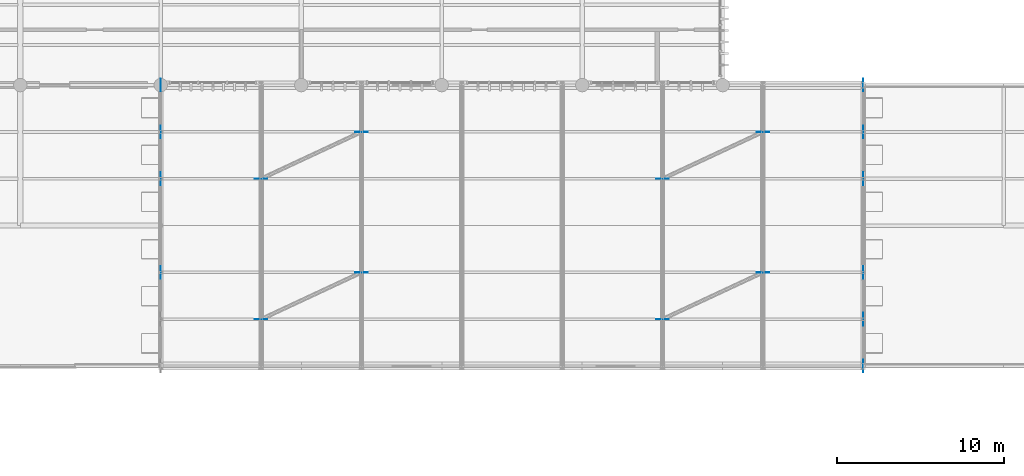
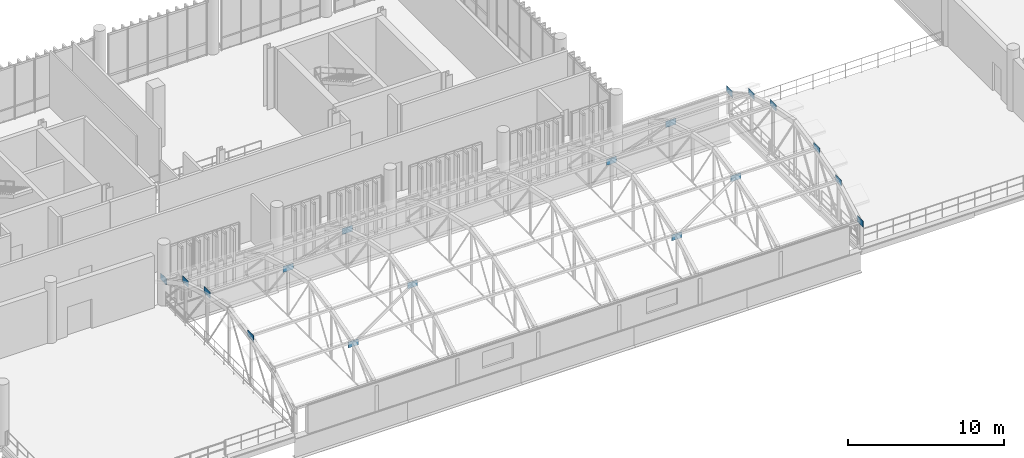
# One storey, part 90 of 109: 18 plates.
"""IFC4 building model written with IfcOpenShell, lengths in metres."""

from ifc_helpers import new_model, si_unit, direction, frame, origin_with_axes, origin_2d_with_axis, place, context, subcontext, project, spatial, rectangle, extrude, material, layer, layer_set, type_object, element, save


model = new_model("IFC4")

# Units and contexts
model_context = context("Model", 3, precision=1e-05, world=origin_with_axes(), true_north=direction((0.0, 1.0)))
body_context = subcontext(model_context, "Body", "Model", "MODEL_VIEW")
ifc_project = project(units=[si_unit("LENGTHUNIT", "METRE"), si_unit("AREAUNIT", "SQUARE_METRE"), si_unit("VOLUMEUNIT", "CUBIC_METRE"), si_unit("PLANEANGLEUNIT", "RADIAN"), si_unit("MASSUNIT", "GRAM", prefix="KILO"), si_unit("THERMODYNAMICTEMPERATUREUNIT", "KELVIN")], contexts=[model_context])

# Site, building, storey
site_placement = place(None, origin_with_axes())
site = spatial("IfcSite", under=ifc_project, at=site_placement, CompositionType="ELEMENT")
building_placement = place(site_placement, origin_with_axes())
building = spatial("IfcBuilding", under=site, at=building_placement, Name="Montbau Bow Law Courts", CompositionType="ELEMENT")
storey_placement = place(building_placement, frame((0.0, 0.0, 10.8), z_axis=(0.0, 0.0, 1.0), x_axis=(1.0, 0.0, 0.0)))
storey = spatial("IfcBuildingStorey", under=building, at=storey_placement, Name="L02", CompositionType="ELEMENT", Elevation=10.8)

# Plates
ifc_material = material(Name="Steel CSA G40.21 Grade 350W (350 MPa)", Category="steel")
ifc_layer = layer(ifc_material, 0.025, Name="Gusset Plate", Category="steel")
ifc_layer_set = layer_set([ifc_layer], Name="Steel CSA G40.21 Grade 350W (350 MPa)")
plate_type = type_object("IfcPlateType", Name="PL-GUS-02", PredefinedType="USERDEFINED", material=ifc_layer_set)
for number, where, z_axis, x_axis, name in (
    (1, (63.6, 27.8, 14.752), (0.0, 0.0, 1.0), (1.0, 0.0, 0.0), "ECP-V4-03:plt_0235"),
    (2, (63.6, 33.4, 14.752), (0.0, 0.0, 1.0), (1.0, 0.0, 0.0), "ECP-V4-05:plt_0237"),
    (3, (63.6, 36.2, 13.923), (0.0, 0.0, 1.0), (1.0, 0.0, 0.0), "ECP-V4-06:plt_0238"),
    (4, (63.6, 39.0, 12.418), (0.0, 0.0, 1.0), (1.0, 0.0, 0.0), "ECP-V4-07:plt_0239"),
):
    element("IfcPlate", number, at=place(None, frame(where, z_axis=z_axis, x_axis=x_axis)), inside=storey, type_object=plate_type, Name=name, ObjectType="GUSSET_PLATE", PredefinedType="USERDEFINED", context=body_context, shape_type="SweptSolid", body=[
        extrude(rectangle(XDim=0.025, YDim=0.76, at=origin_2d_with_axis()), origin_with_axes(), (0.0, 0.0, 1.0), 0.48),
    ])
for number, where, z_axis, x_axis, name in (
    (5, (69.6, 25.0, 13.765), (0.0, 0.0, 1.0), (1.0, 0.0, 0.0), "BGP-L02-188:plt_0240"),
    (6, (75.6, 27.8, 14.594), (0.0, 0.0, 1.0), (1.0, 0.0, 0.0), "BGP-L02-189:plt_0241"),
    (7, (69.6, 33.4, 14.594), (0.0, 0.0, 1.0), (1.0, 0.0, 0.0), "BGP-L02-190:plt_0242"),
    (8, (75.6, 36.2, 13.765), (0.0, 0.0, 1.0), (1.0, 0.0, 0.0), "BGP-L02-191:plt_0243"),
    (9, (93.6, 25.0, 13.765), (0.0, 0.0, 1.0), (1.0, 0.0, 0.0), "BGP-L02-192:plt_0244"),
    (10, (99.6, 27.8, 14.594), (0.0, 0.0, 1.0), (1.0, 0.0, 0.0), "BGP-L02-193:plt_0245"),
    (11, (93.6, 33.4, 14.594), (0.0, 0.0, 1.0), (1.0, 0.0, 0.0), "BGP-L02-194:plt_0246"),
    (12, (99.6, 36.2, 13.765), (0.0, 0.0, 1.0), (1.0, 0.0, 0.0), "BGP-L02-195:plt_0247"),
):
    element("IfcPlate", number, at=place(None, frame(where, z_axis=z_axis, x_axis=x_axis)), inside=storey, type_object=plate_type, Name=name, ObjectType="GUSSET_PLATE", PredefinedType="USERDEFINED", context=body_context, shape_type="SweptSolid", body=[
        extrude(rectangle(XDim=0.76, YDim=0.025, at=origin_2d_with_axis()), origin_with_axes(), (0.0, 0.0, 1.0), 0.48),
    ])
for number, where, z_axis, x_axis, name in (
    (13, (105.6, 22.2, 12.418), (0.0, 0.0, 1.0), (1.0, 0.0, 0.0), "ECP-V4-08:plt_0248"),
    (14, (105.6, 25.0, 13.923), (0.0, 0.0, 1.0), (1.0, 0.0, 0.0), "ECP-V4-09:plt_0249"),
    (15, (105.6, 27.8, 14.752), (0.0, 0.0, 1.0), (1.0, 0.0, 0.0), "ECP-V4-10:plt_0250"),
    (16, (105.6, 33.4, 14.752), (0.0, 0.0, 1.0), (1.0, 0.0, 0.0), "ECP-V4-12:plt_0252"),
    (17, (105.6, 36.2, 13.923), (0.0, 0.0, 1.0), (1.0, 0.0, 0.0), "ECP-V4-13:plt_0253"),
    (18, (105.6, 39.0, 12.418), (0.0, 0.0, 1.0), (1.0, 0.0, 0.0), "ECP-V4-14:plt_0254"),
):
    element("IfcPlate", number, at=place(None, frame(where, z_axis=z_axis, x_axis=x_axis)), inside=storey, type_object=plate_type, Name=name, ObjectType="GUSSET_PLATE", PredefinedType="USERDEFINED", context=body_context, shape_type="SweptSolid", body=[
        extrude(rectangle(XDim=0.025, YDim=0.76, at=origin_2d_with_axis()), origin_with_axes(), (0.0, 0.0, 1.0), 0.48),
    ])

save(model, "model.ifc")
